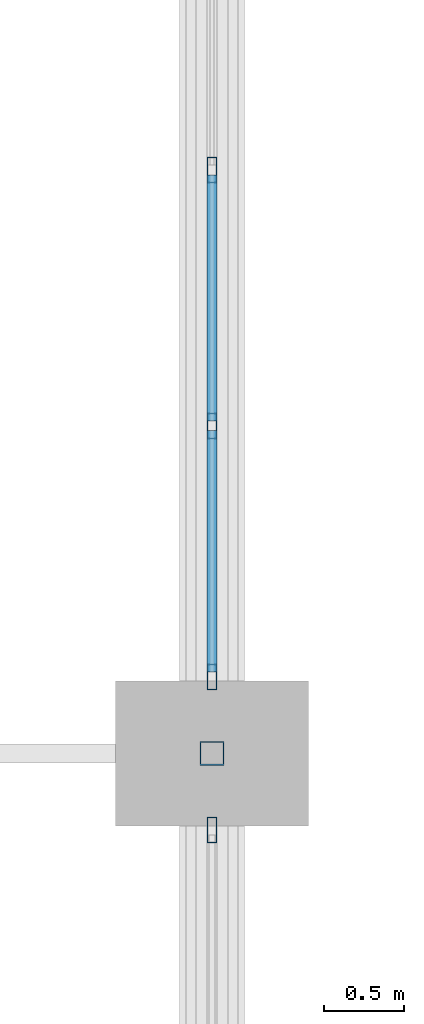
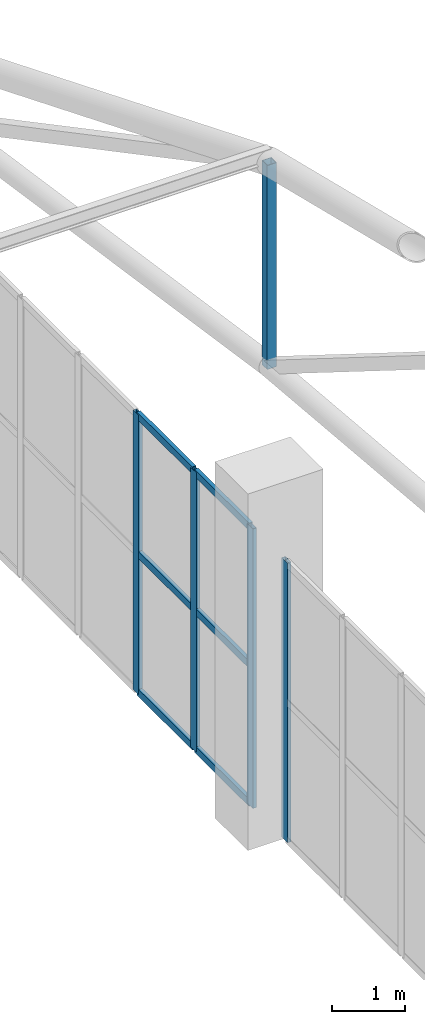
# One storey, part 156 of 223: 11 members, 2 elements without a shape of their own.
"""IFC4 building model written with IfcOpenShell, lengths in metres."""

from ifc_helpers import new_model, si_unit, direction, frame, origin, origin_2d, place, context, subcontext, project, spatial, hollow_rectangle, extrude, material, layer, layer_set, material_profile, profile_set, type_object, element, aggregate, save


model = new_model("IFC4")

# Units and contexts
model_context = context("Model", 3, precision=1e-05, world=origin(), true_north=direction((0.0, 1.0)))
body_context = subcontext(model_context, "Body", "Model", "MODEL_VIEW")
ifc_project = project(units=[si_unit("LENGTHUNIT", "METRE"), si_unit("AREAUNIT", "SQUARE_METRE"), si_unit("VOLUMEUNIT", "CUBIC_METRE"), si_unit("PLANEANGLEUNIT", "RADIAN"), si_unit("MASSUNIT", "GRAM", prefix="KILO")], contexts=[model_context])

# Site, building, storey
site_placement = place(None, origin())
site = spatial("IfcSite", under=ifc_project, at=site_placement, CompositionType="ELEMENT")
building_placement = place(site_placement, origin())
building = spatial("IfcBuilding", under=site, at=building_placement, Name="Dornveld Trade and Exhibition Forum", CompositionType="ELEMENT")
storey_placement = place(building_placement, frame((0.0, 0.0, 6.0)))
storey = spatial("IfcBuildingStorey", under=building, at=storey_placement, Name="L01", CompositionType="ELEMENT", Elevation=6.0)

# Curtain wall, member
ifc_material_1 = material(Name="Dark-bronze anodised aluminium and low-E glass", Category="aluminium")
ifc_layer_1 = layer(ifc_material_1, 0.18701171875)
ifc_layer_set_1 = layer_set([ifc_layer_1], Name="Dark-bronze anodised aluminium and low-E glass")
curtain_wall_type_1 = type_object("IfcCurtainWallType", Name="CW-SYS-15", PredefinedType="USERDEFINED", material=ifc_layer_set_1)
curtain_wall_1_placement = place(storey_placement, origin())
curtain_wall_1 = element("IfcCurtainWall", 1, at=curtain_wall_1_placement, inside=storey, type_object=curtain_wall_type_1, Name="L01 unitised curtain wall 15", ObjectType="UNITISED_CURTAIN_WALL", PredefinedType="USERDEFINED")
ifc_material_2 = material(Name="Dark-bronze anodised aluminium", Category="aluminium")
ifc_material_profile_1 = material_profile(ifc_material_2, hollow_rectangle(XDim=0.06005859375, YDim=0.159912109375, WallThickness=0.00390625, at=origin_2d()), Name="RHS 160x60x4")
ifc_profile_set_1 = profile_set([ifc_material_profile_1], Name="Dark-bronze anodised aluminium")
member_type_1 = type_object("IfcMemberType", Name="CW-MUL-160", PredefinedType="MULLION", material=ifc_profile_set_1)
member_1_placement = place(storey_placement, frame((171.0, 152.52392578125, -0.00390625), z_axis=(0.0, 0.0, 1.0), x_axis=(-1.0, 0.0, 0.0)))
member_1 = element("IfcMember", 2, at=member_1_placement, type_object=member_type_1, Name="CW-15 mullion 6", PredefinedType="MULLION", context=body_context, shape_type="SweptSolid", body=[
    extrude(hollow_rectangle(XDim=0.06005859375, YDim=0.159912109375, WallThickness=0.00390625, at=origin_2d()), origin(), (0.0, 0.0, 1.0), 4.703857421875),
])
aggregate(curtain_wall_1, [member_1])

# Curtain wall, members
ifc_material_3 = material(Name="Dark-bronze anodised aluminium and low-E glass", Category="aluminium")
ifc_layer_2 = layer(ifc_material_3, 0.193115234375)
ifc_layer_set_2 = layer_set([ifc_layer_2], Name="Dark-bronze anodised aluminium and low-E glass")
curtain_wall_type_2 = type_object("IfcCurtainWallType", Name="CW-SYS-17", PredefinedType="USERDEFINED", material=ifc_layer_set_2)
curtain_wall_2_placement = place(storey_placement, origin())
curtain_wall_2 = element("IfcCurtainWall", 3, at=curtain_wall_2_placement, inside=storey, type_object=curtain_wall_type_2, Name="L01 unitised curtain wall 17", ObjectType="UNITISED_CURTAIN_WALL", PredefinedType="USERDEFINED")
member_2_placement = place(storey_placement, frame((171.0, 153.47607421875, -0.00390625), z_axis=(0.0, 0.0, 1.0), x_axis=(-1.0, 0.0, 0.0)))
member_2 = element("IfcMember", 4, at=member_2_placement, type_object=member_type_1, Name="CW-17 mullion 1", PredefinedType="MULLION", context=body_context, shape_type="SweptSolid", body=[
    extrude(hollow_rectangle(XDim=0.06005859375, YDim=0.159912109375, WallThickness=0.00390625, at=origin_2d()), origin(), (0.0, 0.0, 1.0), 4.703857421875),
])
member_3_placement = place(storey_placement, frame((171.0, 155.03759765625, -0.00390625), z_axis=(0.0, 0.0, 1.0), x_axis=(-1.0, 0.0, 0.0)))
member_3 = element("IfcMember", 5, at=member_3_placement, type_object=member_type_1, Name="CW-17 mullion 2", PredefinedType="MULLION", context=body_context, shape_type="SweptSolid", body=[
    extrude(hollow_rectangle(XDim=0.06005859375, YDim=0.159912109375, WallThickness=0.00390625, at=origin_2d()), origin(), (0.0, 0.0, 1.0), 4.703857421875),
])
member_4_placement = place(storey_placement, frame((171.0, 156.629150390625, -0.00390625), z_axis=(0.0, 0.0, 1.0), x_axis=(-1.0, 0.0, 0.0)))
member_4 = element("IfcMember", 6, at=member_4_placement, type_object=member_type_1, Name="CW-17 mullion 3", PredefinedType="MULLION", context=body_context, shape_type="SweptSolid", body=[
    extrude(hollow_rectangle(XDim=0.06005859375, YDim=0.159912109375, WallThickness=0.00390625, at=origin_2d()), origin(), (0.0, 0.0, 1.0), 4.703857421875),
])
ifc_material_4 = material(Name="Dark-bronze anodised aluminium", Category="aluminium")
ifc_material_profile_2 = material_profile(ifc_material_4, hollow_rectangle(XDim=0.06005859375, YDim=0.1201171875, WallThickness=0.00390625, at=origin_2d()), Name="RHS 120x60x4")
ifc_profile_set_2 = profile_set([ifc_material_profile_2], Name="Dark-bronze anodised aluminium")
member_type_2 = type_object("IfcMemberType", Name="CW-TRN-120", PredefinedType="USERDEFINED", material=ifc_profile_set_2)
member_5_placement = place(storey_placement, frame((171.0, 153.506103515625, 0.02587890625), z_axis=(0.0, 1.0, 0.0), x_axis=(-1.0, 0.0, 0.0)))
member_5 = element("IfcMember", 7, at=member_5_placement, type_object=member_type_2, Name="CW-17 transom 1.1", ObjectType="TRANSOM", PredefinedType="USERDEFINED", context=body_context, shape_type="SweptSolid", body=[
    extrude(hollow_rectangle(XDim=0.06005859375, YDim=0.1201171875, WallThickness=0.00390625, at=origin_2d()), origin(), (0.0, 0.0, 1.0), 1.50146484375),
])
member_6_placement = place(storey_placement, frame((171.0, 153.506103515625, 2.347900390625), z_axis=(0.0, 1.0, 0.0), x_axis=(-1.0, 0.0, 0.0)))
member_6 = element("IfcMember", 8, at=member_6_placement, type_object=member_type_2, Name="CW-17 transom 1.2", ObjectType="TRANSOM", PredefinedType="USERDEFINED", context=body_context, shape_type="SweptSolid", body=[
    extrude(hollow_rectangle(XDim=0.06005859375, YDim=0.1201171875, WallThickness=0.00390625, at=origin_2d()), origin(), (0.0, 0.0, 1.0), 1.50146484375),
])
member_7_placement = place(storey_placement, frame((171.0, 153.506103515625, 4.669921875), z_axis=(0.0, 1.0, 0.0), x_axis=(-1.0, 0.0, 0.0)))
member_7 = element("IfcMember", 9, at=member_7_placement, type_object=member_type_2, Name="CW-17 transom 1.3", ObjectType="TRANSOM", PredefinedType="USERDEFINED", context=body_context, shape_type="SweptSolid", body=[
    extrude(hollow_rectangle(XDim=0.06005859375, YDim=0.1201171875, WallThickness=0.00390625, at=origin_2d()), origin(), (0.0, 0.0, 1.0), 1.50146484375),
])
member_8_placement = place(storey_placement, frame((171.0, 155.067626953125, 0.02587890625), z_axis=(0.0, 1.0, 0.0), x_axis=(-1.0, 0.0, 0.0)))
member_8 = element("IfcMember", 10, at=member_8_placement, type_object=member_type_2, Name="CW-17 transom 2.1", ObjectType="TRANSOM", PredefinedType="USERDEFINED", context=body_context, shape_type="SweptSolid", body=[
    extrude(hollow_rectangle(XDim=0.06005859375, YDim=0.1201171875, WallThickness=0.00390625, at=origin_2d()), origin(), (0.0, 0.0, 1.0), 1.531494140625),
])
member_9_placement = place(storey_placement, frame((171.0, 155.067626953125, 2.347900390625), z_axis=(0.0, 1.0, 0.0), x_axis=(-1.0, 0.0, 0.0)))
member_9 = element("IfcMember", 11, at=member_9_placement, type_object=member_type_2, Name="CW-17 transom 2.2", ObjectType="TRANSOM", PredefinedType="USERDEFINED", context=body_context, shape_type="SweptSolid", body=[
    extrude(hollow_rectangle(XDim=0.06005859375, YDim=0.1201171875, WallThickness=0.00390625, at=origin_2d()), origin(), (0.0, 0.0, 1.0), 1.531494140625),
])
member_10_placement = place(storey_placement, frame((171.0, 155.067626953125, 4.669921875), z_axis=(0.0, 1.0, 0.0), x_axis=(-1.0, 0.0, 0.0)))
member_10 = element("IfcMember", 12, at=member_10_placement, type_object=member_type_2, Name="CW-17 transom 2.3", ObjectType="TRANSOM", PredefinedType="USERDEFINED", context=body_context, shape_type="SweptSolid", body=[
    extrude(hollow_rectangle(XDim=0.06005859375, YDim=0.1201171875, WallThickness=0.00390625, at=origin_2d()), origin(), (0.0, 0.0, 1.0), 1.531494140625),
])
aggregate(curtain_wall_2, [member_2, member_3, member_4, member_5, member_6, member_7, member_8, member_9, member_10])

# Member
ifc_material_5 = material(Name="Steel S355J2", Category="steel")
ifc_material_profile_3 = material_profile(ifc_material_5, hollow_rectangle(XDim=0.14990234375, YDim=0.14990234375, WallThickness=0.008056640625, at=origin_2d()), Name="SHS 150x150x8")
ifc_profile_set_3 = profile_set([ifc_material_profile_3], Name="Steel S355J2")
member_type_3 = type_object("IfcMemberType", Name="MEM-ARCH-STR", PredefinedType="STRUT", material=ifc_profile_set_3)
member_11_placement = place(storey_placement, frame((171.0, 153.0, 7.683349609375), z_axis=(0.0, 0.0, 1.0), x_axis=(1.0, 0.0, 0.0)))
element("IfcMember", 13, at=member_11_placement, inside=storey, type_object=member_type_3, Name="H1 truss 9 strut 6", PredefinedType="STRUT", context=body_context, shape_type="SweptSolid", body=[
    extrude(hollow_rectangle(XDim=0.14990234375, YDim=0.14990234375, WallThickness=0.008056640625, at=origin_2d()), origin(), (0.0, 0.0, 1.0), 3.433349609375),
])

save(model, "model.ifc")
